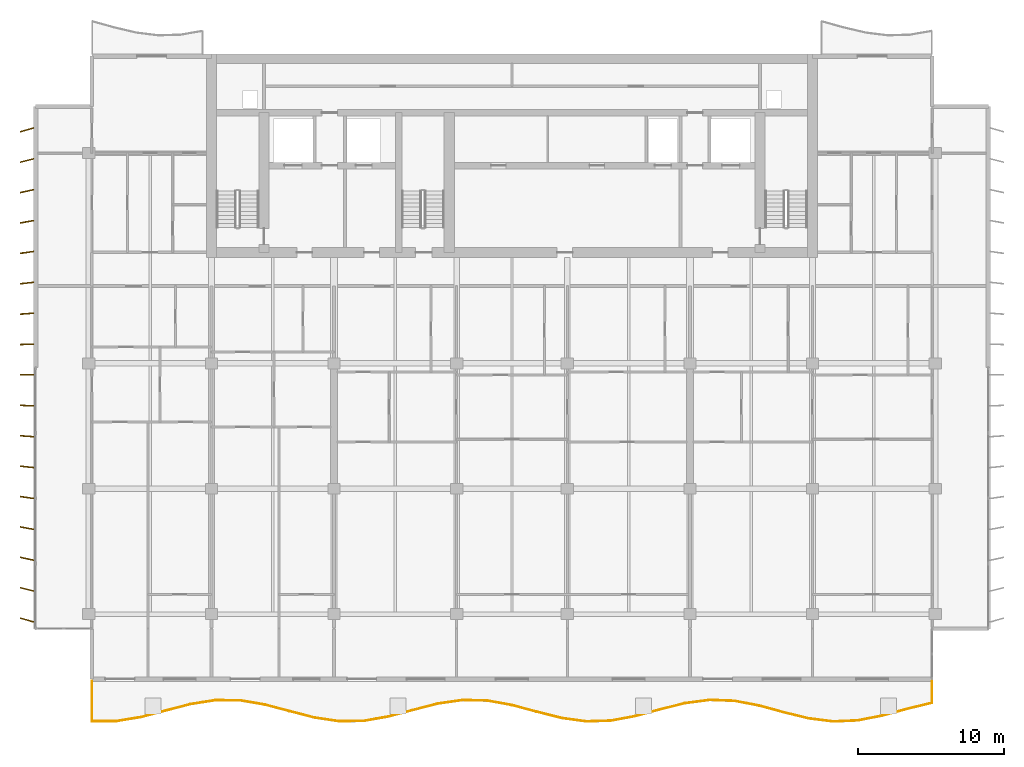
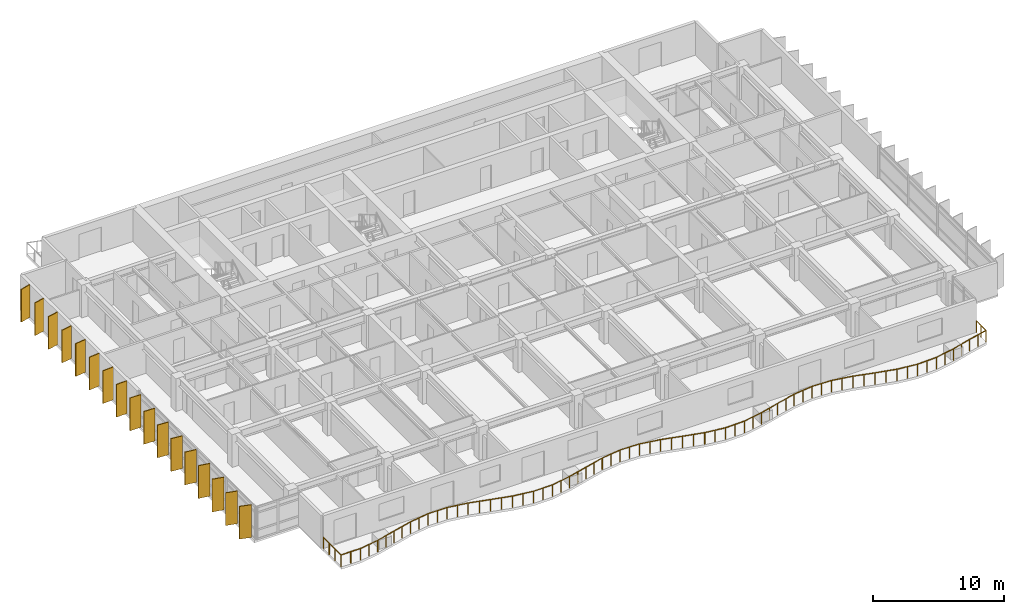
# One storey, part 13 of 16: 17 shading devices, 1 railing.
"""IFC4 building model written with IfcOpenShell, lengths in metres."""

from ifc_helpers import new_model, si_unit, direction, frame, origin, origin_2d, place, context, subcontext, project, spatial, rectangle, circle, extrude, material, material_profile, profile_set, type_object, element, save


model = new_model("IFC4")

# Units and contexts
model_context = context("Model", 3, precision=1e-05, world=origin(), true_north=direction((0.0, 1.0)))
body_context = subcontext(model_context, "Body", "Model", "MODEL_VIEW")
ifc_project = project(units=[si_unit("LENGTHUNIT", "METRE"), si_unit("AREAUNIT", "SQUARE_METRE"), si_unit("VOLUMEUNIT", "CUBIC_METRE"), si_unit("PLANEANGLEUNIT", "RADIAN"), si_unit("MASSUNIT", "GRAM", prefix="KILO")], contexts=[model_context])

# Site, building, storey
site_placement = place(None, origin())
site = spatial("IfcSite", under=ifc_project, at=site_placement, CompositionType="ELEMENT")
building_placement = place(site_placement, origin())
building = spatial("IfcBuilding", under=site, at=building_placement, Name="Caelmar Bay Residences", CompositionType="ELEMENT")
storey_placement = place(building_placement, frame((0.0, 0.0, 198.300048828125)))
storey = spatial("IfcBuildingStorey", under=building, at=storey_placement, Name="L55", CompositionType="ELEMENT", Elevation=198.300048828125)

# Railing
ifc_material_1 = material(Name="Anodised bronze handrail with laminated hurricane glass infill", Category="glass")
railing_type = type_object("IfcRailingType", Name="RL-BAL-1100", PredefinedType="BALUSTRADE", material=ifc_material_1)
railing_placement = place(storey_placement, frame((10.10009765625, 7.60009765625, 0.0)))
element("IfcRailing", 1, at=railing_placement, inside=storey, type_object=railing_type, Name="L55 south Balcony Balustrade", PredefinedType="BALUSTRADE", context=body_context, shape_type="SweptSolid", body=[
    extrude(circle(Radius=0.02392578125, at=origin_2d()), frame((0.0, 0.0, 1.076171875), z_axis=(0.0, -1.0, 0.0), x_axis=(1.0, 0.0, 0.0)), (0.0, 0.0, 1.0), 2.7333984375),
    extrude(circle(Radius=0.02392578125, at=origin_2d()), frame((0.0, -2.7333984375, 1.076171875), z_axis=(0.999999740393, 0.000720564736, 0.0), x_axis=(-0.000720564736, 0.999999740393, 0.0)), (0.0, 0.0, 1.0), 1.694091796875),
    extrude(circle(Radius=0.02392578125, at=origin_2d()), frame((1.694091796875, -2.732177734375, 1.076171875), z_axis=(0.98683994476, 0.161700103357, 0.0), x_axis=(-0.161700103357, 0.98683994476, 0.0)), (0.0, 0.0, 1.0), 1.716796875),
    extrude(circle(Radius=0.02392578125, at=origin_2d()), frame((3.38818359375, -2.45458984375, 1.076171875), z_axis=(0.96700771303, 0.25474709604, 0.0), x_axis=(-0.25474709604, 0.96700771303, 0.0)), (0.0, 0.0, 1.0), 1.751953125),
    extrude(circle(Radius=0.02392578125, at=origin_2d()), frame((5.082275390625, -2.00830078125, 1.076171875), z_axis=(0.967623195546, 0.252399190652, 0.0), x_axis=(-0.252399190652, 0.967623195546, 0.0)), (0.0, 0.0, 1.0), 1.750732421875),
    extrude(circle(Radius=0.02392578125, at=origin_2d()), frame((6.7763671875, -1.56640625, 1.076171875), z_axis=(0.987929781528, 0.154902378196, 0.0), x_axis=(-0.154902378196, 0.987929781528, 0.0)), (0.0, 0.0, 1.0), 1.71484375),
    extrude(circle(Radius=0.02392578125, at=origin_2d()), frame((8.470458984375, -1.30078125, 1.076171875), z_axis=(0.999967436501, -0.008070064338, 0.0), x_axis=(0.008070064338, 0.999967436501, 0.0)), (0.0, 0.0, 1.0), 1.694091796875),
    extrude(circle(Radius=0.02392578125, at=origin_2d()), frame((10.16455078125, -1.314453125, 1.076171875), z_axis=(0.985894085535, -0.167370403914, 0.0), x_axis=(0.167370403914, 0.985894085535, 0.0)), (0.0, 0.0, 1.0), 1.71826171875),
    extrude(circle(Radius=0.02392578125, at=origin_2d()), frame((11.858642578125, -1.60205078125, 1.076171875), z_axis=(0.96652561509, -0.256570137339, 0.0), x_axis=(0.256570137339, 0.96652561509, 0.0)), (0.0, 0.0, 1.0), 1.752685546875),
    extrude(circle(Radius=0.02392578125, at=origin_2d()), frame((13.552734375, -2.0517578125, 1.076171875), z_axis=(0.968242469272, -0.250013041057, 0.0), x_axis=(0.250013041057, 0.968242469272, 0.0)), (0.0, 0.0, 1.0), 1.75),
    extrude(circle(Radius=0.02392578125, at=origin_2d()), frame((15.2470703125, -2.4892578125, 1.076171875), z_axis=(0.988828431207, -0.149058155216, 0.0), x_axis=(0.149058155216, 0.988828431207, 0.0)), (0.0, 0.0, 1.0), 1.713134765625),
    extrude(circle(Radius=0.02392578125, at=origin_2d()), frame((16.941162109375, -2.74462890625, 1.076171875), z_axis=(0.99988334269, 0.015274194311, 0.0), x_axis=(-0.015274194311, 0.99988334269, 0.0)), (0.0, 0.0, 1.0), 1.6943359375),
    extrude(circle(Radius=0.02392578125, at=origin_2d()), frame((18.63525390625, -2.71875, 1.076171875), z_axis=(0.984965924128, 0.172748743286, 0.0), x_axis=(-0.172748743286, 0.984965924128, 0.0)), (0.0, 0.0, 1.0), 1.719970703125),
    extrude(circle(Radius=0.02392578125, at=origin_2d()), frame((20.329345703125, -2.421630859375, 1.076171875), z_axis=(0.966075311356, 0.258260513412, 0.0), x_axis=(-0.258260513412, 0.966075311356, 0.0)), (0.0, 0.0, 1.0), 1.753662109375),
    extrude(circle(Radius=0.02392578125, at=origin_2d()), frame((22.0234375, -1.96875, 1.076171875), z_axis=(0.968839335891, 0.247690010357, 0.0), x_axis=(-0.247690010357, 0.968839335891, 0.0)), (0.0, 0.0, 1.0), 1.74853515625),
    extrude(circle(Radius=0.02392578125, at=origin_2d()), frame((23.717529296875, -1.53564453125, 1.076171875), z_axis=(0.989714225211, 0.143058562889, 0.0), x_axis=(-0.143058562889, 0.989714225211, 0.0)), (0.0, 0.0, 1.0), 1.711669921875),
    extrude(circle(Radius=0.02392578125, at=origin_2d()), frame((25.41162109375, -1.290771484375, 1.076171875), z_axis=(0.99974738401, -0.022475946376, 0.0), x_axis=(0.022475946376, 0.99974738401, 0.0)), (0.0, 0.0, 1.0), 1.694580078125),
    extrude(circle(Radius=0.02392578125, at=origin_2d()), frame((27.105712890625, -1.328857421875, 1.076171875), z_axis=(0.98401028007, -0.178111674848, 0.0), x_axis=(0.178111674848, 0.98401028007, 0.0)), (0.0, 0.0, 1.0), 1.7216796875),
    extrude(circle(Radius=0.02392578125, at=origin_2d()), frame((28.7998046875, -1.635498046875, 1.076171875), z_axis=(0.965657399283, -0.259818758389, 0.0), x_axis=(0.259818758389, 0.965657399283, 0.0)), (0.0, 0.0, 1.0), 1.75439453125),
    extrude(circle(Radius=0.02392578125, at=origin_2d()), frame((30.493896484375, -2.09130859375, 1.076171875), z_axis=(0.969506355207, -0.245066169049, 0.0), x_axis=(0.245066169049, 0.969506355207, 0.0)), (0.0, 0.0, 1.0), 1.747314453125),
    extrude(circle(Radius=0.02392578125, at=origin_2d()), frame((32.18798828125, -2.51953125, 1.076171875), z_axis=(0.990567757977, -0.137023782083, 0.0), x_axis=(0.137023782083, 0.990567757977, 0.0)), (0.0, 0.0, 1.0), 1.71044921875),
    extrude(circle(Radius=0.02392578125, at=origin_2d()), frame((33.88232421875, -2.75390625, 1.076171875), z_axis=(0.999555340909, 0.02981812301, 0.0), x_axis=(-0.02981812301, 0.999555340909, 0.0)), (0.0, 0.0, 1.0), 1.69482421875),
    extrude(circle(Radius=0.02392578125, at=origin_2d()), frame((35.576416015625, -2.703369140625, 1.076171875), z_axis=(0.983078465562, 0.183184962671, 0.0), x_axis=(-0.183184962671, 0.983078465562, 0.0)), (0.0, 0.0, 1.0), 1.72314453125),
    extrude(circle(Radius=0.02392578125, at=origin_2d()), frame((37.2705078125, -2.3876953125, 1.076171875), z_axis=(0.965272426357, 0.261245369174, 0.0), x_axis=(-0.261245369174, 0.965272426357, 0.0)), (0.0, 0.0, 1.0), 1.755126953125),
    extrude(circle(Radius=0.02392578125, at=origin_2d()), frame((38.964599609375, -1.92919921875, 1.076171875), z_axis=(0.970200045105, 0.242305329034, 0.0), x_axis=(-0.242305329034, 0.970200045105, 0.0)), (0.0, 0.0, 1.0), 1.74609375),
    extrude(circle(Radius=0.02392578125, at=origin_2d()), frame((40.65869140625, -1.506103515625, 1.076171875), z_axis=(0.991399256235, 0.130872131245, 0.0), x_axis=(-0.130872131245, 0.991399256235, 0.0)), (0.0, 0.0, 1.0), 1.708740234375),
    extrude(circle(Radius=0.02392578125, at=origin_2d()), frame((42.352783203125, -1.282470703125, 1.076171875), z_axis=(0.999315031004, -0.037006334722, 0.0), x_axis=(0.037006334722, 0.999315031004, 0.0)), (0.0, 0.0, 1.0), 1.695556640625),
    extrude(circle(Radius=0.02392578125, at=origin_2d()), frame((44.047119140625, -1.34521484375, 1.076171875), z_axis=(0.982122357756, -0.188243656985, 0.0), x_axis=(0.188243656985, 0.982122357756, 0.0)), (0.0, 0.0, 1.0), 1.724853515625),
    extrude(circle(Radius=0.02392578125, at=origin_2d()), frame((45.7412109375, -1.669921875, 1.076171875), z_axis=(0.964956111271, -0.262411324682, 0.0), x_axis=(0.262411324682, 0.964956111271, 0.0)), (0.0, 0.0, 1.0), 1.755615234375),
    extrude(circle(Radius=0.02392578125, at=origin_2d()), frame((47.435302734375, -2.130615234375, 1.076171875), z_axis=(0.970919375996, -0.239406694384, 0.0), x_axis=(0.239406694384, 0.970919375996, 0.0)), (0.0, 0.0, 1.0), 1.744873046875),
    extrude(circle(Radius=0.02392578125, at=origin_2d()), frame((49.12939453125, -2.54833984375, 1.076171875), z_axis=(0.992213949517, -0.124545085751, 0.0), x_axis=(0.124545085751, 0.992213949517, 0.0)), (0.0, 0.0, 1.0), 1.707275390625),
    extrude(circle(Radius=0.02392578125, at=origin_2d()), frame((50.823486328125, -2.760986328125, 1.076171875), z_axis=(0.999022726819, 0.044199449075, 0.0), x_axis=(-0.044199449075, 0.999022726819, 0.0)), (0.0, 0.0, 1.0), 1.69580078125),
    extrude(circle(Radius=0.02392578125, at=origin_2d()), frame((52.517578125, -2.68603515625, 1.076171875), z_axis=(0.981168985124, 0.193151294665, 0.0), x_axis=(-0.193151294665, 0.981168985124, 0.0)), (0.0, 0.0, 1.0), 1.7265625),
    extrude(circle(Radius=0.02392578125, at=origin_2d()), frame((54.211669921875, -2.3525390625, 1.076171875), z_axis=(0.964709259098, 0.263317385319, 0.0), x_axis=(-0.263317385319, 0.964709259098, 0.0)), (0.0, 0.0, 1.0), 1.756103515625),
    extrude(circle(Radius=0.02392578125, at=origin_2d()), frame((55.90576171875, -1.89013671875, 1.076171875), z_axis=(0.971663257261, 0.236369444914, 0.0), x_axis=(-0.236369444914, 0.971663257261, 0.0)), (0.0, 0.0, 1.0), 1.743408203125),
    extrude(circle(Radius=0.02392578125, at=origin_2d()), frame((57.599853515625, -1.47802734375, 1.076171875), z_axis=(0.0, 1.0, 0.0), x_axis=(-1.0, 0.0, 0.0)), (0.0, 0.0, 1.0), 1.47802734375),
    extrude(circle(Radius=0.02099609375, at=origin_2d()), origin(), (0.0, 0.0, 1.0), 1.052001953125),
    extrude(circle(Radius=0.02099609375, at=origin_2d()), frame((0.0, -0.9111328125, 0.0)), (0.0, 0.0, 1.0), 1.052001953125),
    extrude(circle(Radius=0.02099609375, at=origin_2d()), frame((0.0, -1.822265625, 0.0)), (0.0, 0.0, 1.0), 1.052001953125),
    extrude(circle(Radius=0.02099609375, at=origin_2d()), frame((0.0, -2.7333984375, 0.0)), (0.0, 0.0, 1.0), 1.052001953125),
    extrude(circle(Radius=0.02099609375, at=origin_2d()), frame((0.84716796875, -2.73291015625, 0.0)), (0.0, 0.0, 1.0), 1.052001953125),
    extrude(circle(Radius=0.02099609375, at=origin_2d()), frame((1.694091796875, -2.732177734375, 0.0)), (0.0, 0.0, 1.0), 1.052001953125),
    extrude(circle(Radius=0.02099609375, at=origin_2d()), frame((2.541015625, -2.59326171875, 0.0)), (0.0, 0.0, 1.0), 1.052001953125),
    extrude(circle(Radius=0.02099609375, at=origin_2d()), frame((3.38818359375, -2.45458984375, 0.0)), (0.0, 0.0, 1.0), 1.052001953125),
    extrude(circle(Radius=0.02099609375, at=origin_2d()), frame((4.2353515625, -2.2314453125, 0.0)), (0.0, 0.0, 1.0), 1.052001953125),
    extrude(circle(Radius=0.02099609375, at=origin_2d()), frame((5.082275390625, -2.00830078125, 0.0)), (0.0, 0.0, 1.0), 1.052001953125),
    extrude(circle(Radius=0.02099609375, at=origin_2d()), frame((5.92919921875, -1.787353515625, 0.0)), (0.0, 0.0, 1.0), 1.052001953125),
    extrude(circle(Radius=0.02099609375, at=origin_2d()), frame((6.7763671875, -1.56640625, 0.0)), (0.0, 0.0, 1.0), 1.052001953125),
    extrude(circle(Radius=0.02099609375, at=origin_2d()), frame((7.62353515625, -1.43359375, 0.0)), (0.0, 0.0, 1.0), 1.052001953125),
    extrude(circle(Radius=0.02099609375, at=origin_2d()), frame((8.470458984375, -1.30078125, 0.0)), (0.0, 0.0, 1.0), 1.052001953125),
    extrude(circle(Radius=0.02099609375, at=origin_2d()), frame((9.3173828125, -1.3076171875, 0.0)), (0.0, 0.0, 1.0), 1.052001953125),
    extrude(circle(Radius=0.02099609375, at=origin_2d()), frame((10.16455078125, -1.314453125, 0.0)), (0.0, 0.0, 1.0), 1.052001953125),
    extrude(circle(Radius=0.02099609375, at=origin_2d()), frame((11.01171875, -1.458251953125, 0.0)), (0.0, 0.0, 1.0), 1.052001953125),
    extrude(circle(Radius=0.02099609375, at=origin_2d()), frame((11.858642578125, -1.60205078125, 0.0)), (0.0, 0.0, 1.0), 1.052001953125),
    extrude(circle(Radius=0.02099609375, at=origin_2d()), frame((12.70556640625, -1.826904296875, 0.0)), (0.0, 0.0, 1.0), 1.052001953125),
    extrude(circle(Radius=0.02099609375, at=origin_2d()), frame((13.552734375, -2.0517578125, 0.0)), (0.0, 0.0, 1.0), 1.052001953125),
    extrude(circle(Radius=0.02099609375, at=origin_2d()), frame((14.39990234375, -2.2705078125, 0.0)), (0.0, 0.0, 1.0), 1.052001953125),
    extrude(circle(Radius=0.02099609375, at=origin_2d()), frame((15.2470703125, -2.4892578125, 0.0)), (0.0, 0.0, 1.0), 1.052001953125),
    extrude(circle(Radius=0.02099609375, at=origin_2d()), frame((16.09423828125, -2.616943359375, 0.0)), (0.0, 0.0, 1.0), 1.052001953125),
    extrude(circle(Radius=0.02099609375, at=origin_2d()), frame((16.941162109375, -2.74462890625, 0.0)), (0.0, 0.0, 1.0), 1.052001953125),
    extrude(circle(Radius=0.02099609375, at=origin_2d()), frame((17.7880859375, -2.731689453125, 0.0)), (0.0, 0.0, 1.0), 1.052001953125),
    extrude(circle(Radius=0.02099609375, at=origin_2d()), frame((18.63525390625, -2.71875, 0.0)), (0.0, 0.0, 1.0), 1.052001953125),
    extrude(circle(Radius=0.02099609375, at=origin_2d()), frame((19.482421875, -2.5703125, 0.0)), (0.0, 0.0, 1.0), 1.052001953125),
    extrude(circle(Radius=0.02099609375, at=origin_2d()), frame((20.329345703125, -2.421630859375, 0.0)), (0.0, 0.0, 1.0), 1.052001953125),
    extrude(circle(Radius=0.02099609375, at=origin_2d()), frame((21.17626953125, -2.1953125, 0.0)), (0.0, 0.0, 1.0), 1.052001953125),
    extrude(circle(Radius=0.02099609375, at=origin_2d()), frame((22.0234375, -1.96875, 0.0)), (0.0, 0.0, 1.0), 1.052001953125),
    extrude(circle(Radius=0.02099609375, at=origin_2d()), frame((22.87060546875, -1.752197265625, 0.0)), (0.0, 0.0, 1.0), 1.052001953125),
    extrude(circle(Radius=0.02099609375, at=origin_2d()), frame((23.717529296875, -1.53564453125, 0.0)), (0.0, 0.0, 1.0), 1.052001953125),
    extrude(circle(Radius=0.02099609375, at=origin_2d()), frame((24.564453125, -1.4130859375, 0.0)), (0.0, 0.0, 1.0), 1.052001953125),
    extrude(circle(Radius=0.02099609375, at=origin_2d()), frame((25.41162109375, -1.290771484375, 0.0)), (0.0, 0.0, 1.0), 1.052001953125),
    extrude(circle(Radius=0.02099609375, at=origin_2d()), frame((26.2587890625, -1.309814453125, 0.0)), (0.0, 0.0, 1.0), 1.052001953125),
    extrude(circle(Radius=0.02099609375, at=origin_2d()), frame((27.105712890625, -1.328857421875, 0.0)), (0.0, 0.0, 1.0), 1.052001953125),
    extrude(circle(Radius=0.02099609375, at=origin_2d()), frame((27.95263671875, -1.482177734375, 0.0)), (0.0, 0.0, 1.0), 1.052001953125),
    extrude(circle(Radius=0.02099609375, at=origin_2d()), frame((28.7998046875, -1.635498046875, 0.0)), (0.0, 0.0, 1.0), 1.052001953125),
    extrude(circle(Radius=0.02099609375, at=origin_2d()), frame((29.64697265625, -1.86328125, 0.0)), (0.0, 0.0, 1.0), 1.052001953125),
    extrude(circle(Radius=0.02099609375, at=origin_2d()), frame((30.493896484375, -2.09130859375, 0.0)), (0.0, 0.0, 1.0), 1.052001953125),
    extrude(circle(Radius=0.02099609375, at=origin_2d()), frame((31.3408203125, -2.305419921875, 0.0)), (0.0, 0.0, 1.0), 1.052001953125),
    extrude(circle(Radius=0.02099609375, at=origin_2d()), frame((32.18798828125, -2.51953125, 0.0)), (0.0, 0.0, 1.0), 1.052001953125),
    extrude(circle(Radius=0.02099609375, at=origin_2d()), frame((33.03515625, -2.63671875, 0.0)), (0.0, 0.0, 1.0), 1.052001953125),
    extrude(circle(Radius=0.02099609375, at=origin_2d()), frame((33.88232421875, -2.75390625, 0.0)), (0.0, 0.0, 1.0), 1.052001953125),
    extrude(circle(Radius=0.02099609375, at=origin_2d()), frame((34.7294921875, -2.728515625, 0.0)), (0.0, 0.0, 1.0), 1.052001953125),
    extrude(circle(Radius=0.02099609375, at=origin_2d()), frame((35.576416015625, -2.703369140625, 0.0)), (0.0, 0.0, 1.0), 1.052001953125),
    extrude(circle(Radius=0.02099609375, at=origin_2d()), frame((36.42333984375, -2.54541015625, 0.0)), (0.0, 0.0, 1.0), 1.052001953125),
    extrude(circle(Radius=0.02099609375, at=origin_2d()), frame((37.2705078125, -2.3876953125, 0.0)), (0.0, 0.0, 1.0), 1.052001953125),
    extrude(circle(Radius=0.02099609375, at=origin_2d()), frame((38.11767578125, -2.158447265625, 0.0)), (0.0, 0.0, 1.0), 1.052001953125),
    extrude(circle(Radius=0.02099609375, at=origin_2d()), frame((38.964599609375, -1.92919921875, 0.0)), (0.0, 0.0, 1.0), 1.052001953125),
    extrude(circle(Radius=0.02099609375, at=origin_2d()), frame((39.8115234375, -1.7177734375, 0.0)), (0.0, 0.0, 1.0), 1.052001953125),
    extrude(circle(Radius=0.02099609375, at=origin_2d()), frame((40.65869140625, -1.506103515625, 0.0)), (0.0, 0.0, 1.0), 1.052001953125),
    extrude(circle(Radius=0.02099609375, at=origin_2d()), frame((41.505859375, -1.394287109375, 0.0)), (0.0, 0.0, 1.0), 1.052001953125),
    extrude(circle(Radius=0.02099609375, at=origin_2d()), frame((42.352783203125, -1.282470703125, 0.0)), (0.0, 0.0, 1.0), 1.052001953125),
    extrude(circle(Radius=0.02099609375, at=origin_2d()), frame((43.199951171875, -1.31396484375, 0.0)), (0.0, 0.0, 1.0), 1.052001953125),
    extrude(circle(Radius=0.02099609375, at=origin_2d()), frame((44.047119140625, -1.34521484375, 0.0)), (0.0, 0.0, 1.0), 1.052001953125),
    extrude(circle(Radius=0.02099609375, at=origin_2d()), frame((44.89404296875, -1.507568359375, 0.0)), (0.0, 0.0, 1.0), 1.052001953125),
    extrude(circle(Radius=0.02099609375, at=origin_2d()), frame((45.7412109375, -1.669921875, 0.0)), (0.0, 0.0, 1.0), 1.052001953125),
    extrude(circle(Radius=0.02099609375, at=origin_2d()), frame((46.58837890625, -1.900390625, 0.0)), (0.0, 0.0, 1.0), 1.052001953125),
    extrude(circle(Radius=0.02099609375, at=origin_2d()), frame((47.435302734375, -2.130615234375, 0.0)), (0.0, 0.0, 1.0), 1.052001953125),
    extrude(circle(Radius=0.02099609375, at=origin_2d()), frame((48.2822265625, -2.33935546875, 0.0)), (0.0, 0.0, 1.0), 1.052001953125),
    extrude(circle(Radius=0.02099609375, at=origin_2d()), frame((49.12939453125, -2.54833984375, 0.0)), (0.0, 0.0, 1.0), 1.052001953125),
    extrude(circle(Radius=0.02099609375, at=origin_2d()), frame((49.9765625, -2.65478515625, 0.0)), (0.0, 0.0, 1.0), 1.052001953125),
    extrude(circle(Radius=0.02099609375, at=origin_2d()), frame((50.823486328125, -2.760986328125, 0.0)), (0.0, 0.0, 1.0), 1.052001953125),
    extrude(circle(Radius=0.02099609375, at=origin_2d()), frame((51.67041015625, -2.7236328125, 0.0)), (0.0, 0.0, 1.0), 1.052001953125),
    extrude(circle(Radius=0.02099609375, at=origin_2d()), frame((52.517578125, -2.68603515625, 0.0)), (0.0, 0.0, 1.0), 1.052001953125),
    extrude(circle(Radius=0.02099609375, at=origin_2d()), frame((53.36474609375, -2.519287109375, 0.0)), (0.0, 0.0, 1.0), 1.052001953125),
    extrude(circle(Radius=0.02099609375, at=origin_2d()), frame((54.211669921875, -2.3525390625, 0.0)), (0.0, 0.0, 1.0), 1.052001953125),
    extrude(circle(Radius=0.02099609375, at=origin_2d()), frame((55.05859375, -2.121337890625, 0.0)), (0.0, 0.0, 1.0), 1.052001953125),
    extrude(circle(Radius=0.02099609375, at=origin_2d()), frame((55.90576171875, -1.89013671875, 0.0)), (0.0, 0.0, 1.0), 1.052001953125),
    extrude(circle(Radius=0.02099609375, at=origin_2d()), frame((56.7529296875, -1.68408203125, 0.0)), (0.0, 0.0, 1.0), 1.052001953125),
    extrude(circle(Radius=0.02099609375, at=origin_2d()), frame((57.599853515625, -1.47802734375, 0.0)), (0.0, 0.0, 1.0), 1.052001953125),
    extrude(circle(Radius=0.02099609375, at=origin_2d()), frame((57.599853515625, -0.739013671875, 0.0)), (0.0, 0.0, 1.0), 1.052001953125),
    extrude(circle(Radius=0.02099609375, at=origin_2d()), frame((57.599853515625, 0.0, 0.0)), (0.0, 0.0, 1.0), 1.052001953125),
])

# Shading devices
ifc_material_2 = material(Name="Anodised architectural bronze aluminium 6063-T6", Category="aluminium")
ifc_material_profile = material_profile(ifc_material_2, rectangle(XDim=0.074951171875, YDim=0.949951171875, at=origin_2d()), Name="BRONZE-FIN-75X950")
ifc_profile_set = profile_set([ifc_material_profile], Name="Anodised architectural bronze aluminium 6063-T6")
shading_device_type = type_object("IfcShadingDeviceType", Name="SHD-FIN-950", PredefinedType="USERDEFINED", material=ifc_profile_set)
for number, where, z_axis, x_axis, name in (
    (2, (5.64990234375, 11.800048828125, 0.0), (0.0, 0.0, 1.0), (0.275637355817, 0.961261695938, 0.0), "L55 West Bronze Solar Fin 1"),
    (3, (5.64990234375, 13.89990234375, 0.0), (0.0, 0.0, 1.0), (0.2419218956, 0.970295726276, 0.0), "L55 West Bronze Solar Fin 2"),
    (4, (5.64990234375, 16.0, 0.0), (0.0, 0.0, 1.0), (0.207911690818, 0.978147600734, 0.0), "L55 West Bronze Solar Fin 3"),
    (5, (5.64990234375, 18.10009765625, 0.0), (0.0, 0.0, 1.0), (0.173648177667, 0.984807753012, 0.0), "L55 West Bronze Solar Fin 4"),
    (6, (5.64990234375, 20.199951171875, 0.0), (0.0, 0.0, 1.0), (0.13917310096, 0.990268068742, 0.0), "L55 West Bronze Solar Fin 5"),
    (7, (5.64990234375, 22.300048828125, 0.0), (0.0, 0.0, 1.0), (0.104528463268, 0.994521895368, 0.0), "L55 West Bronze Solar Fin 6"),
    (8, (5.64990234375, 24.39990234375, 0.0), (0.0, 0.0, 1.0), (0.069756473744, 0.99756405026, 0.0), "L55 West Bronze Solar Fin 7"),
    (9, (5.64990234375, 26.5, 0.0), (0.0, 0.0, 1.0), (0.034899496703, 0.999390827019, 0.0), "L55 West Bronze Solar Fin 8"),
    (10, (5.64990234375, 28.60009765625, 0.0), (0.0, 0.0, 1.0), (0.0, 1.0, 0.0), "L55 West Bronze Solar Fin 9"),
    (11, (5.64990234375, 30.699951171875, 0.0), (0.0, 0.0, 1.0), (-0.034899496703, 0.999390827019, 0.0), "L55 West Bronze Solar Fin 10"),
    (12, (5.64990234375, 32.800048828125, 0.0), (0.0, 0.0, 1.0), (-0.069756473744, 0.99756405026, 0.0), "L55 West Bronze Solar Fin 11"),
    (13, (5.64990234375, 34.89990234375, 0.0), (0.0, 0.0, 1.0), (-0.104528463268, 0.994521895368, 0.0), "L55 West Bronze Solar Fin 12"),
    (14, (5.64990234375, 37.0, 0.0), (0.0, 0.0, 1.0), (-0.13917310096, 0.990268068742, 0.0), "L55 West Bronze Solar Fin 13"),
    (15, (5.64990234375, 39.10009765625, 0.0), (0.0, 0.0, 1.0), (-0.173648177667, 0.984807753012, 0.0), "L55 West Bronze Solar Fin 14"),
    (16, (5.64990234375, 41.199951171875, 0.0), (0.0, 0.0, 1.0), (-0.207911690818, 0.978147600734, 0.0), "L55 West Bronze Solar Fin 15"),
    (17, (5.64990234375, 43.300048828125, 0.0), (0.0, 0.0, 1.0), (-0.2419218956, 0.970295726276, 0.0), "L55 West Bronze Solar Fin 16"),
    (18, (5.64990234375, 45.39990234375, 0.0), (0.0, 0.0, 1.0), (-0.275637355817, 0.961261695938, 0.0), "L55 West Bronze Solar Fin 17"),
):
    element("IfcShadingDevice", number, at=place(storey_placement, frame(where, z_axis=z_axis, x_axis=x_axis)), inside=storey, type_object=shading_device_type, Name=name, ObjectType="FIN", PredefinedType="USERDEFINED", context=body_context, shape_type="SweptSolid", body=[
        extrude(rectangle(XDim=0.074951171875, YDim=0.949951171875, at=origin_2d()), origin(), (0.0, 0.0, 1.0), 3.050048828125),
    ])

save(model, "model.ifc")
